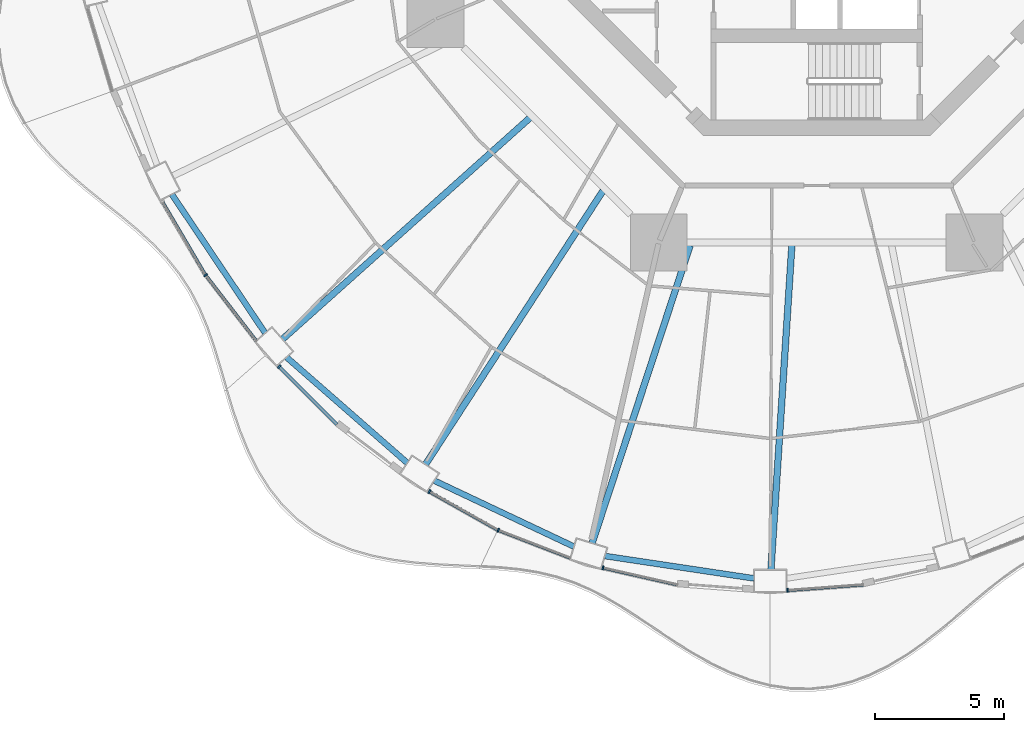
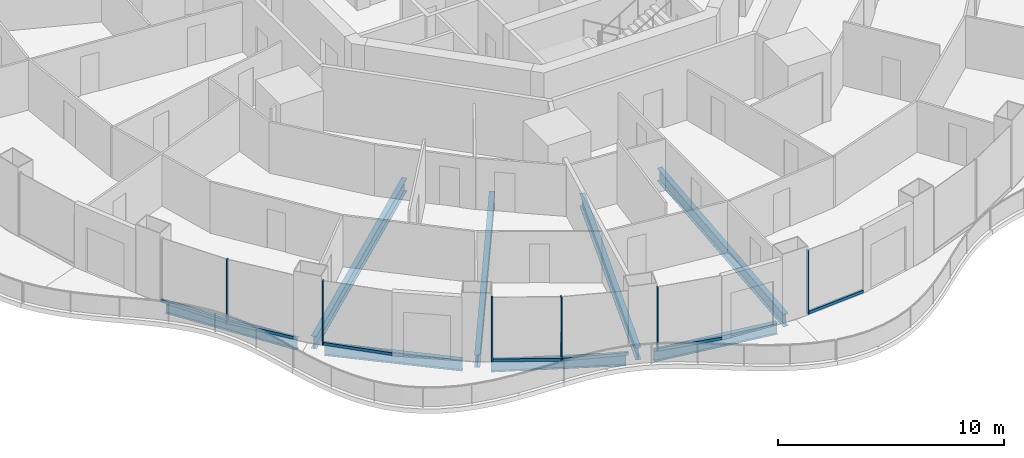
# One storey, part 2 of 22: 13 members, 8 beams, 7 elements without a shape of their own.
"""IFC4 building model written with IfcOpenShell, lengths in metres."""

from ifc_helpers import new_model, si_unit, direction, frame, origin, origin_2d, place, context, subcontext, project, spatial, rectangle, i_section, extrude, material, layer, layer_set, material_profile, profile_set, type_object, element, aggregate, save


model = new_model("IFC4")

# Units and contexts
model_context = context("Model", 3, precision=1e-05, world=origin(), true_north=direction((0.0, 1.0)))
body_context = subcontext(model_context, "Body", "Model", "MODEL_VIEW")
ifc_project = project(units=[si_unit("LENGTHUNIT", "METRE"), si_unit("AREAUNIT", "SQUARE_METRE"), si_unit("VOLUMEUNIT", "CUBIC_METRE"), si_unit("PLANEANGLEUNIT", "RADIAN"), si_unit("MASSUNIT", "GRAM", prefix="KILO")], contexts=[model_context])

# Site, building, storey
site_placement = place(None, origin())
site = spatial("IfcSite", under=ifc_project, at=site_placement, CompositionType="ELEMENT")
building_placement = place(site_placement, origin())
building = spatial("IfcBuilding", under=site, at=building_placement, Name="Nagisa Residences", CompositionType="ELEMENT")
storey_placement = place(building_placement, frame((0.0, 0.0, 80.699951171875)))
storey = spatial("IfcBuildingStorey", under=building, at=storey_placement, Name="L19", CompositionType="ELEMENT", Elevation=80.699951171875)

# Curtain wall, member
ifc_material_1 = material(Name="Concrete-coloured aluminium curtain wall system", Category="concrete")
ifc_layer = layer(ifc_material_1, 0.159912109375)
ifc_layer_set = layer_set([ifc_layer], Name="CW1 CURTAIN WALL")
curtain_wall_type = type_object("IfcCurtainWallType", Name="CW1 CURTAIN WALL", PredefinedType="NOTDEFINED", material=ifc_layer_set)
curtain_wall_1_placement = place(storey_placement, origin())
curtain_wall_1 = element("IfcCurtainWall", 1, at=curtain_wall_1_placement, inside=storey, type_object=curtain_wall_type, Name="cw:CW1:L19:29", PredefinedType="NOTDEFINED")
ifc_material_2 = material(Name="Concrete-coloured aluminium", Category="concrete")
ifc_material_profile_1 = material_profile(ifc_material_2, rectangle(XDim=0.159912109375, YDim=0.06005859375, at=origin_2d()), Name="CW1 MULLION 160x60")
ifc_profile_set_1 = profile_set([ifc_material_profile_1], Name="Concrete-coloured aluminium")
member_type_1 = type_object("IfcMemberType", Name="CW1 MULLION 160x60", PredefinedType="MULLION", material=ifc_profile_set_1)
member_1_placement = place(storey_placement, frame((-23.690185546875, -16.042236328125, 0.0), z_axis=(0.0, 0.0, 1.0), x_axis=(0.792070340816, 0.610429828235, 0.0)))
member_1 = element("IfcMember", 2, at=member_1_placement, type_object=member_type_1, Name="CW1 mullion", PredefinedType="MULLION", context=body_context, shape_type="SweptSolid", body=[
    extrude(rectangle(XDim=0.159912109375, YDim=0.06005859375, at=origin_2d()), origin(), (0.0, 0.0, 1.0), 3.43994140625),
])

curtain_wall_2_placement = place(storey_placement, origin())
curtain_wall_2 = element("IfcCurtainWall", 3, at=curtain_wall_2_placement, inside=storey, type_object=curtain_wall_type, Name="cw:CW1:L19:30", PredefinedType="NOTDEFINED")
member_2_placement = place(storey_placement, frame((-20.845458984375, -19.590576171875, 0.0), z_axis=(0.0, 0.0, 1.0), x_axis=(0.706376885714, 0.707835924016, 0.0)))
member_2 = element("IfcMember", 4, at=member_2_placement, type_object=member_type_1, Name="CW1 mullion", PredefinedType="MULLION", context=body_context, shape_type="SweptSolid", body=[
    extrude(rectangle(XDim=0.159912109375, YDim=0.06005859375, at=origin_2d()), origin(), (0.0, 0.0, 1.0), 3.43994140625),
])

curtain_wall_3_placement = place(storey_placement, origin())
curtain_wall_3 = element("IfcCurtainWall", 5, at=curtain_wall_3_placement, inside=storey, type_object=curtain_wall_type, Name="cw:CW1:L19:32", PredefinedType="NOTDEFINED")
member_3_placement = place(storey_placement, frame((-15.015380859375, -24.43798828125, 0.0), z_axis=(0.0, 0.0, 1.0), x_axis=(0.489376918501, 0.872072377523, 0.0)))
member_3 = element("IfcMember", 6, at=member_3_placement, type_object=member_type_1, Name="CW1 mullion", PredefinedType="MULLION", context=body_context, shape_type="SweptSolid", body=[
    extrude(rectangle(XDim=0.159912109375, YDim=0.06005859375, at=origin_2d()), origin(), (0.0, 0.0, 1.0), 3.43994140625),
])

curtain_wall_4_placement = place(storey_placement, origin())
curtain_wall_4 = element("IfcCurtainWall", 7, at=curtain_wall_4_placement, inside=storey, type_object=curtain_wall_type, Name="cw:CW1:L19:33", PredefinedType="NOTDEFINED")
member_4_placement = place(storey_placement, frame((-12.341552734375, -25.9345703125, 0.0), z_axis=(0.0, 0.0, 1.0), x_axis=(0.360327770268, 0.932825759707, 0.0)))
member_4 = element("IfcMember", 8, at=member_4_placement, type_object=member_type_1, Name="CW1 mullion", PredefinedType="MULLION", context=body_context, shape_type="SweptSolid", body=[
    extrude(rectangle(XDim=0.159912109375, YDim=0.06005859375, at=origin_2d()), origin(), (0.0, 0.0, 1.0), 3.43994140625),
])

curtain_wall_5_placement = place(storey_placement, origin())
curtain_wall_5 = element("IfcCurtainWall", 9, at=curtain_wall_5_placement, inside=storey, type_object=curtain_wall_type, Name="cw:CW1:L19:34", PredefinedType="NOTDEFINED")
member_5_placement = place(storey_placement, frame((-8.287109375, -27.3955078125, 0.0), z_axis=(0.0, 0.0, 1.0), x_axis=(0.2207639201, 0.975327274089, 0.0)))
member_5 = element("IfcMember", 10, at=member_5_placement, type_object=member_type_1, Name="CW1 mullion", PredefinedType="MULLION", context=body_context, shape_type="SweptSolid", body=[
    extrude(rectangle(XDim=0.159912109375, YDim=0.06005859375, at=origin_2d()), origin(), (0.0, 0.0, 1.0), 3.43994140625),
])

curtain_wall_6_placement = place(storey_placement, origin())
curtain_wall_6 = element("IfcCurtainWall", 11, at=curtain_wall_6_placement, inside=storey, type_object=curtain_wall_type, Name="cw:CW1:L19:36", PredefinedType="NOTDEFINED")
member_6_placement = place(storey_placement, frame((-1.1279296875, -28.266845703125, 0.0), z_axis=(0.0, 0.0, 1.0), x_axis=(-0.074377355493, 0.997230168512, 0.0)))
member_6 = element("IfcMember", 12, at=member_6_placement, type_object=member_type_1, Name="CW1 mullion", PredefinedType="MULLION", context=body_context, shape_type="SweptSolid", body=[
    extrude(rectangle(XDim=0.159912109375, YDim=0.06005859375, at=origin_2d()), origin(), (0.0, 0.0, 1.0), 3.43994140625),
])

curtain_wall_7_placement = place(storey_placement, origin())
curtain_wall_7 = element("IfcCurtainWall", 13, at=curtain_wall_7_placement, inside=storey, type_object=curtain_wall_type, Name="cw:CW1:L19:28", PredefinedType="NOTDEFINED")
ifc_material_3 = material(Name="Concrete-coloured aluminium", Category="concrete")
ifc_material_profile_2 = material_profile(ifc_material_3, rectangle(XDim=0.1201171875, YDim=0.14990234375, at=origin_2d()), Name="CW1 TRANSOM 120x150")
ifc_profile_set_2 = profile_set([ifc_material_profile_2], Name="Concrete-coloured aluminium")
member_type_2 = type_object("IfcMemberType", Name="CW1 TRANSOM 120x150", PredefinedType="USERDEFINED", material=ifc_profile_set_2)
member_7_placement = place(storey_placement, frame((-25.386474609375, -13.159912109375, 0.074951171875), z_axis=(0.506384588027, -0.862307746114, 0.0), x_axis=(0.862307746114, 0.506384588027, 0.0)))
member_7 = element("IfcMember", 14, at=member_7_placement, type_object=member_type_2, Name="CW1 transom", ObjectType="TRANSOM", PredefinedType="USERDEFINED", context=body_context, shape_type="SweptSolid", body=[
    extrude(rectangle(XDim=0.1201171875, YDim=0.14990234375, at=origin_2d()), origin(), (0.0, 0.0, 1.0), 3.32470703125),
])
aggregate(curtain_wall_7, [member_7])

# Member
member_8_placement = place(storey_placement, frame((-23.70849609375, -16.0185546875, 0.074951171875), z_axis=(0.61041202934, -0.792084057684, 0.0), x_axis=(0.792084057684, 0.61041202934, 0.0)))
member_8 = element("IfcMember", 15, at=member_8_placement, type_object=member_type_2, Name="CW1 transom", ObjectType="TRANSOM", PredefinedType="USERDEFINED", context=body_context, shape_type="SweptSolid", body=[
    extrude(rectangle(XDim=0.1201171875, YDim=0.14990234375, at=origin_2d()), origin(), (0.0, 0.0, 1.0), 3.262939453125),
])

aggregate(curtain_wall_1, [member_1, member_8])

member_9_placement = place(storey_placement, frame((-20.86669921875, -19.5693359375, 0.074951171875), z_axis=(0.707869817944, -0.706342920149, 0.0), x_axis=(0.706342920149, 0.707869817944, 0.0)))
member_9 = element("IfcMember", 16, at=member_9_placement, type_object=member_type_2, Name="CW1 transom", ObjectType="TRANSOM", PredefinedType="USERDEFINED", context=body_context, shape_type="SweptSolid", body=[
    extrude(rectangle(XDim=0.1201171875, YDim=0.14990234375, at=origin_2d()), origin(), (0.0, 0.0, 1.0), 3.19775390625),
])

aggregate(curtain_wall_2, [member_2, member_9])

member_10_placement = place(storey_placement, frame((-15.04150390625, -24.42333984375, 0.074951171875), z_axis=(0.872037280335, -0.489439456631, 0.0), x_axis=(0.489439456631, 0.872037280335, 0.0)))
member_10 = element("IfcMember", 17, at=member_10_placement, type_object=member_type_2, Name="CW1 transom", ObjectType="TRANSOM", PredefinedType="USERDEFINED", context=body_context, shape_type="SweptSolid", body=[
    extrude(rectangle(XDim=0.1201171875, YDim=0.14990234375, at=origin_2d()), origin(), (0.0, 0.0, 1.0), 3.07568359375),
])

aggregate(curtain_wall_3, [member_3, member_10])

member_11_placement = place(storey_placement, frame((-12.36962890625, -25.923828125, 0.074951171875), z_axis=(0.932837560624, -0.360297218263, 0.0), x_axis=(0.360297218263, 0.932837560624, 0.0)))
member_11 = element("IfcMember", 18, at=member_11_placement, type_object=member_type_2, Name="CW1 transom", ObjectType="TRANSOM", PredefinedType="USERDEFINED", context=body_context, shape_type="SweptSolid", body=[
    extrude(rectangle(XDim=0.1201171875, YDim=0.14990234375, at=origin_2d()), origin(), (0.0, 0.0, 1.0), 3.027587890625),
])

aggregate(curtain_wall_4, [member_4, member_11])

member_12_placement = place(storey_placement, frame((-8.31640625, -27.388916015625, 0.074951171875), z_axis=(0.975335171471, -0.220729026846, 0.0), x_axis=(0.220729026846, 0.975335171471, 0.0)))
member_12 = element("IfcMember", 19, at=member_12_placement, type_object=member_type_2, Name="CW1 transom", ObjectType="TRANSOM", PredefinedType="USERDEFINED", context=body_context, shape_type="SweptSolid", body=[
    extrude(rectangle(XDim=0.1201171875, YDim=0.14990234375, at=origin_2d()), origin(), (0.0, 0.0, 1.0), 2.992919921875),
])

aggregate(curtain_wall_5, [member_5, member_12])

member_13_placement = place(storey_placement, frame((-1.15771484375, -28.269287109375, 0.074951171875), z_axis=(0.997226174467, 0.074430887117, 0.0), x_axis=(-0.074430887117, 0.997226174467, 0.0)))
member_13 = element("IfcMember", 20, at=member_13_placement, type_object=member_type_2, Name="CW1 transom", ObjectType="TRANSOM", PredefinedType="USERDEFINED", context=body_context, shape_type="SweptSolid", body=[
    extrude(rectangle(XDim=0.1201171875, YDim=0.14990234375, at=origin_2d()), origin(), (0.0, 0.0, 1.0), 2.97509765625),
])

aggregate(curtain_wall_6, [member_6, member_13])

# Beams
ifc_material_4 = material(Name="Steel ASTM A572 Gr 50", Category="steel")
ifc_material_profile_3 = material_profile(ifc_material_4, i_section(OverallWidth=0.22802734375, OverallDepth=0.60302734375, WebThickness=0.010498046875, FlangeThickness=0.014892578125, at=origin_2d()), Name="W610x101")
ifc_profile_set_3 = profile_set([ifc_material_profile_3], Name="Steel ASTM A572 Gr 50")
beam_type_1 = type_object("IfcBeamType", Name="Perimeter ring beam W610x101", PredefinedType="BEAM", material=ifc_profile_set_3)
beam_1_placement = place(storey_placement, frame((-24.9970703125, -12.91650390625, -0.5615234375), z_axis=(0.558203607151, -0.829704003222, 0.0), x_axis=(0.829704003222, 0.558203607151, 0.0)))
element("IfcBeam", 21, at=beam_1_placement, inside=storey, type_object=beam_type_1, Name="beam:L19:pb15", PredefinedType="BEAM", context=body_context, shape_type="SweptSolid", body=[
    extrude(i_section(OverallWidth=0.22802734375, OverallDepth=0.60302734375, WebThickness=0.010498046875, FlangeThickness=0.014892578125, at=origin_2d()), origin(), (0.0, 0.0, 1.0), 6.4716796875),
])
beam_2_placement = place(storey_placement, frame((-20.551513671875, -19.231689453125, -0.5615234375), z_axis=(0.752542612886, -0.658543556488, 0.0), x_axis=(0.658543556488, 0.752542612886, 0.0)))
element("IfcBeam", 22, at=beam_2_placement, inside=storey, type_object=beam_type_1, Name="beam:L19:pb16", PredefinedType="BEAM", context=body_context, shape_type="SweptSolid", body=[
    extrude(i_section(OverallWidth=0.22802734375, OverallDepth=0.60302734375, WebThickness=0.010498046875, FlangeThickness=0.014892578125, at=origin_2d()), origin(), (0.0, 0.0, 1.0), 6.212646484375),
])
beam_3_placement = place(storey_placement, frame((-14.822021484375, -24.013916015625, -0.5615234375), z_axis=(0.90418952838, -0.427131474804, 0.0), x_axis=(0.427131474804, 0.90418952838, 0.0)))
element("IfcBeam", 23, at=beam_3_placement, inside=storey, type_object=beam_type_1, Name="beam:L19:pb17", PredefinedType="BEAM", context=body_context, shape_type="SweptSolid", body=[
    extrude(i_section(OverallWidth=0.22802734375, OverallDepth=0.60302734375, WebThickness=0.010498046875, FlangeThickness=0.014892578125, at=origin_2d()), origin(), (0.0, 0.0, 1.0), 5.98046875),
])
beam_4_placement = place(storey_placement, frame((-8.20849609375, -26.93505859375, -0.5615234375), z_axis=(0.988913048607, -0.148495731568, 0.0), x_axis=(0.148495731568, 0.988913048607, 0.0)))
element("IfcBeam", 24, at=beam_4_placement, inside=storey, type_object=beam_type_1, Name="beam:L19:pb18", PredefinedType="BEAM", context=body_context, shape_type="SweptSolid", body=[
    extrude(i_section(OverallWidth=0.22802734375, OverallDepth=0.60302734375, WebThickness=0.010498046875, FlangeThickness=0.014892578125, at=origin_2d()), origin(), (0.0, 0.0, 1.0), 5.843017578125),
])
ifc_material_5 = material(Name="Steel ASTM A572 Gr 50", Category="steel")
ifc_material_profile_4 = material_profile(ifc_material_5, i_section(OverallWidth=0.2529296875, OverallDepth=0.677978515625, WebThickness=0.01171875, FlangeThickness=0.016357421875, at=origin_2d()), Name="W690x125")
ifc_profile_set_4 = profile_set([ifc_material_profile_4], Name="Steel ASTM A572 Gr 50")
beam_type_2 = type_object("IfcBeamType", Name="Radial beam W690x125", PredefinedType="BEAM", material=ifc_profile_set_4)
beam_5_placement = place(storey_placement, frame((-20.709228515625, -18.526611328125, -0.598876953125), z_axis=(0.745284973843, 0.666746059428, 0.0), x_axis=(-0.666746059428, 0.745284973843, 0.0)))
element("IfcBeam", 25, at=beam_5_placement, inside=storey, type_object=beam_type_2, Name="beam:L19:rb16", PredefinedType="BEAM", context=body_context, shape_type="SweptSolid", body=[
    extrude(i_section(OverallWidth=0.2529296875, OverallDepth=0.677978515625, WebThickness=0.01171875, FlangeThickness=0.016357421875, at=origin_2d()), origin(), (0.0, 0.0, 1.0), 12.869384765625),
])
beam_6_placement = place(storey_placement, frame((-15.16357421875, -23.38134765625, -0.598876953125), z_axis=(0.544121648903, 0.839006335611, 0.0), x_axis=(-0.839006335611, 0.544121648903, 0.0)))
element("IfcBeam", 26, at=beam_6_placement, inside=storey, type_object=beam_type_2, Name="beam:L19:rb17", PredefinedType="BEAM", context=body_context, shape_type="SweptSolid", body=[
    extrude(i_section(OverallWidth=0.2529296875, OverallDepth=0.677978515625, WebThickness=0.01171875, FlangeThickness=0.016357421875, at=origin_2d()), origin(), (0.0, 0.0, 1.0), 12.63818359375),
])
beam_7_placement = place(storey_placement, frame((-8.7041015625, -26.431884765625, -0.598876953125), z_axis=(0.312788454633, 0.94982281645, 0.0), x_axis=(-0.94982281645, 0.312788454633, 0.0)))
element("IfcBeam", 27, at=beam_7_placement, inside=storey, type_object=beam_type_2, Name="beam:L19:rb18", PredefinedType="BEAM", context=body_context, shape_type="SweptSolid", body=[
    extrude(i_section(OverallWidth=0.2529296875, OverallDepth=0.677978515625, WebThickness=0.01171875, FlangeThickness=0.016357421875, at=origin_2d()), origin(), (0.0, 0.0, 1.0), 12.145751953125),
])
beam_8_placement = place(storey_placement, frame((-1.772216796875, -27.46728515625, -0.598876953125), z_axis=(0.064392860553, 0.997924626167, 0.0), x_axis=(-0.997924626167, 0.064392860553, 0.0)))
element("IfcBeam", 28, at=beam_8_placement, inside=storey, type_object=beam_type_2, Name="beam:L19:rb19", PredefinedType="BEAM", context=body_context, shape_type="SweptSolid", body=[
    extrude(i_section(OverallWidth=0.2529296875, OverallDepth=0.677978515625, WebThickness=0.01171875, FlangeThickness=0.016357421875, at=origin_2d()), origin(), (0.0, 0.0, 1.0), 12.598876953125),
])

save(model, "model.ifc")
